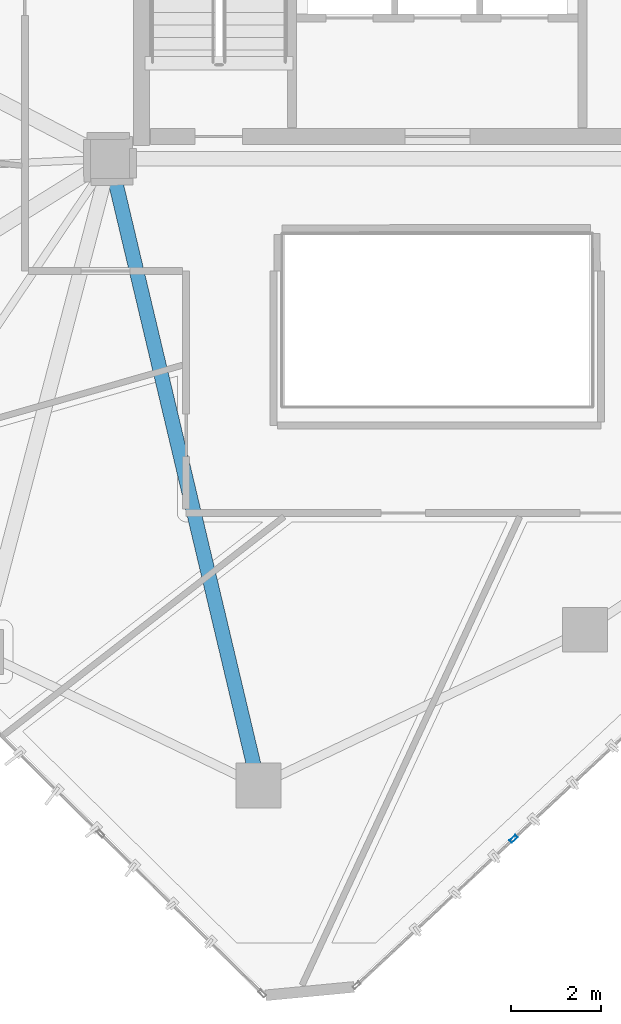
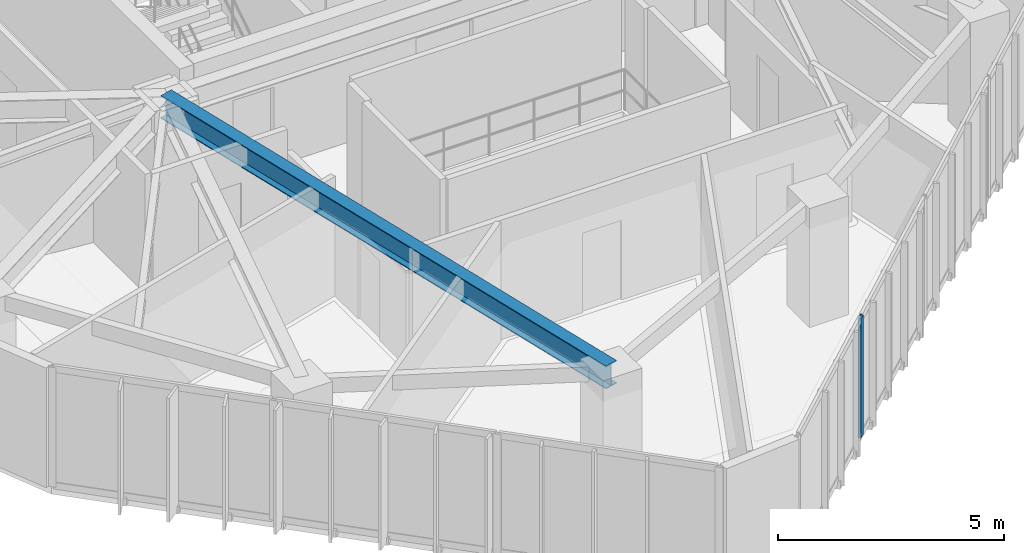
# One storey, part 4 of 19: 1 beam, 1 member, 1 element without a shape of its own.
"""IFC4 building model written with IfcOpenShell, lengths in metres."""

from ifc_helpers import new_model, si_unit, direction, frame, origin, origin_2d, place, context, subcontext, project, spatial, hollow_rectangle, i_section, extrude, source, transform, mapped, material, layer, layer_set, material_profile, profile_set, type_object, type_shapes, element, aggregate, save


model = new_model("IFC4")

# Units and contexts
model_context = context("Model", 3, precision=1e-05, world=origin(), true_north=direction((0.0, 1.0)))
body_context = subcontext(model_context, "Body", "Model", "MODEL_VIEW")
ifc_project = project(units=[si_unit("LENGTHUNIT", "METRE"), si_unit("AREAUNIT", "SQUARE_METRE"), si_unit("VOLUMEUNIT", "CUBIC_METRE"), si_unit("PLANEANGLEUNIT", "RADIAN"), si_unit("MASSUNIT", "GRAM", prefix="KILO")], contexts=[model_context])

# Site, building, storey
site_placement = place(None, origin())
site = spatial("IfcSite", under=ifc_project, at=site_placement, CompositionType="ELEMENT")
building_placement = place(site_placement, origin())
building = spatial("IfcBuilding", under=site, at=building_placement, Name="Talar Marvaseh", CompositionType="ELEMENT")
storey_placement = place(building_placement, frame((0.0, 0.0, 218.699951171875)))
storey = spatial("IfcBuildingStorey", under=building, at=storey_placement, Name="L57", CompositionType="ELEMENT", Elevation=218.699951171875)

# Beam
ifc_material_1 = material(Name="Steel S355", Category="steel")
ifc_material_profile_1 = material_profile(ifc_material_1, i_section(OverallWidth=0.324951171875, OverallDepth=0.615966796875, WebThickness=0.013916015625, FlangeThickness=0.021484375, at=origin_2d()), Name="W610x174")
ifc_profile_set_1 = profile_set([ifc_material_profile_1], Name="Steel S355")
beam_type = type_object("IfcBeamType", Name="Zone 3 Radial Floor Girder W610x174", PredefinedType="BEAM", material=ifc_profile_set_1)
beam_placement = place(storey_placement, frame((22.014892578125, 11.51904296875, 2.922119140625), z_axis=(-0.230707708791, 0.973023099985, 0.0), x_axis=(-0.973023099985, -0.230707708791, 0.0)))
element("IfcBeam", 1, at=beam_placement, inside=storey, type_object=beam_type, Name="L57 Zone 3 Radial Floor Girder W610x174", PredefinedType="BEAM", context=body_context, shape_type="SweptSolid", body=[
    extrude(i_section(OverallWidth=0.324951171875, OverallDepth=0.615966796875, WebThickness=0.013916015625, FlangeThickness=0.021484375, at=origin_2d()), origin(), (0.0, 0.0, 1.0), 14.36865234375),
])

# Curtain wall, member
ifc_material_2 = material(Name="Architectural Aluminium", Category="aluminium")
ifc_layer = layer(ifc_material_2, 0.18994140625)
ifc_layer_set = layer_set([ifc_layer], Name="Architectural Aluminium")
curtain_wall_type = type_object("IfcCurtainWallType", Name="Unitised Solar Atelier Curtain Wall Z3", PredefinedType="NOTDEFINED", material=ifc_layer_set)
curtain_wall_placement = place(storey_placement, origin())
curtain_wall = element("IfcCurtainWall", 2, at=curtain_wall_placement, inside=storey, type_object=curtain_wall_type, Name="L57 Unitised Solar Atelier Curtain Wall Z3", PredefinedType="NOTDEFINED")
ifc_material_profile_2 = material_profile(ifc_material_2, hollow_rectangle(XDim=0.074951171875, YDim=0.179931640625, WallThickness=0.0048828125, at=origin_2d()), Name="RHS180x75x5")
ifc_profile_set_2 = profile_set([ifc_material_profile_2], Name="Architectural Aluminium")
member_type = type_object("IfcMemberType", Name="Unitised Curtain Wall Standard Mullion RHS180x75x5", PredefinedType="MULLION", material=ifc_profile_set_2)
shared_shape = source(origin(), body_context, "Body", "SweptSolid", [
    extrude(hollow_rectangle(XDim=0.074951171875, YDim=0.179931640625, WallThickness=0.0048828125, at=origin_2d()), origin(), (0.0, 0.0, 1.0), 3.22998046875),
])
type_shapes(member_type, [shared_shape])
member_placement = place(storey_placement, frame((27.701416015625, 10.328369140625, 0.0), z_axis=(0.0, 0.0, 1.0), x_axis=(0.682110225084, -0.731249369802, 0.0)))
member = element("IfcMember", 3, at=member_placement, type_object=member_type, Name="CW-Z3 mullion 4", PredefinedType="MULLION", context=body_context, shape_type="MappedRepresentation", body=[
    mapped(shared_shape, transform((0.0, 0.0, 0.0), x_axis=(1.0, 0.0, 0.0), y_axis=(0.0, 1.0, 0.0), z_axis=(0.0, 0.0, 1.0), scale=1.0)),
])
aggregate(curtain_wall, [member])

save(model, "model.ifc")
